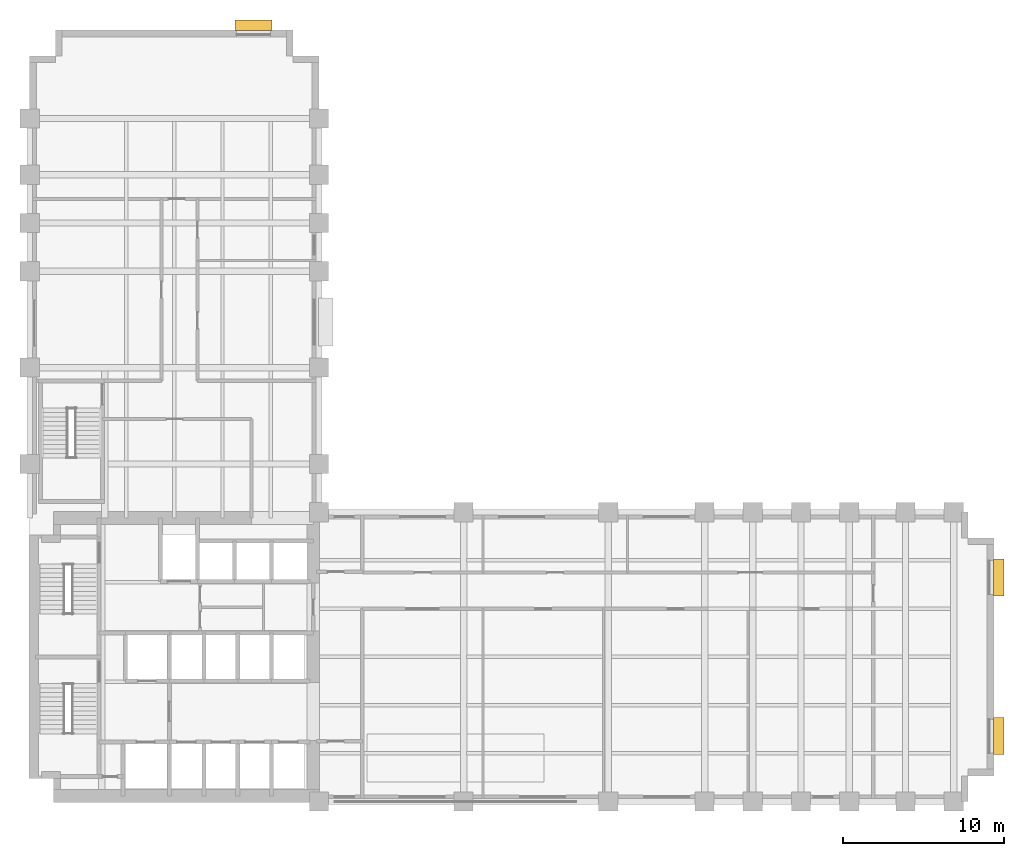
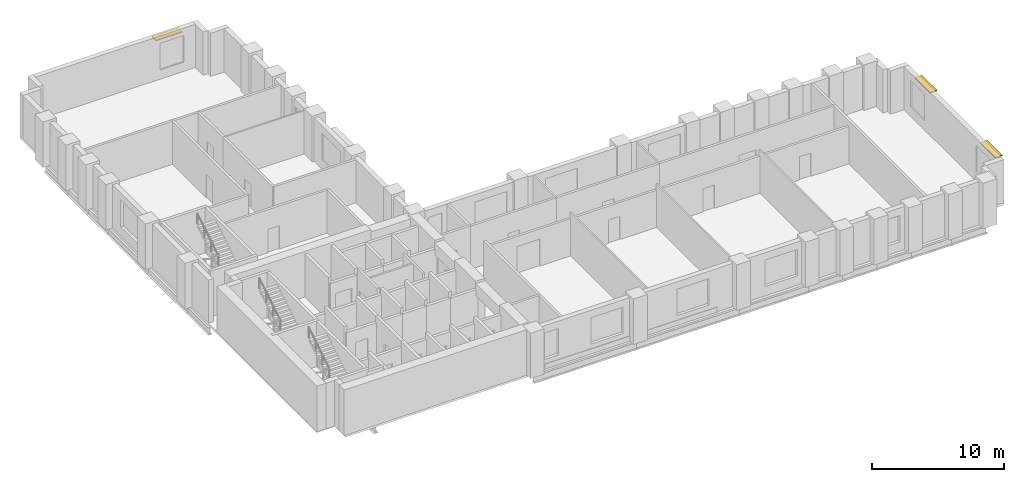
# One storey, part 8 of 8: 3 shading devices.
"""IFC4 building model written with IfcOpenShell, lengths in metres."""

import ifcopenshell
import ifcopenshell.guid

model = None  # the IFC model being written
_history = None  # IfcOwnerHistory: only IFC2X3 demands one
_inside = {}  # id of a spatial element -> (the spatial element, [elements in it])
_under = {}  # id of a project, library or spatial element -> (it, [spatial elements below it])
_declared = {}  # id of a project -> (the project, [libraries it declares])
_typed = {}  # id of a type object -> (the type object, [elements of that type])
_made_of = {}  # id of a material, layer set ... -> (it, [elements and type objects made of it])


def new_model(schema):
    """Start an empty IFC model of exactly this schema.

    Asked for "IFC4X3", IfcOpenShell would pick the latest addendum, in which some entities
    have other attributes; the version numbers below select the first issue.
    IFC2X3 requires an IfcOwnerHistory on every rooted entity: one is made here for all.
    """
    global model, _history
    if schema == "IFC4X3":
        model = ifcopenshell.file(schema_version=(4, 3, 0, 0))
    else:
        model = ifcopenshell.file(schema=schema)
    _inside.clear()
    _under.clear()
    _declared.clear()
    _typed.clear()
    _made_of.clear()
    _history = None
    if model.schema == "IFC2X3":
        org = make("IfcOrganization", Name="unknown")
        user = make(
            "IfcPersonAndOrganization",
            ThePerson=make("IfcPerson", FamilyName="unknown"),
            TheOrganization=org,
        )
        app = make(
            "IfcApplication",
            ApplicationDeveloper=org,
            Version="unknown",
            ApplicationFullName="unknown",
            ApplicationIdentifier="unknown",
        )
        _history = make(
            "IfcOwnerHistory",
            OwningUser=user,
            OwningApplication=app,
            ChangeAction="ADDED",
            CreationDate=0,
        )
    return model


def make(cls, **values):
    """One entity of the class cls with the attributes given. An attribute that is None is left unset."""
    return model.create_entity(
        cls, **{name: value for name, value in values.items() if value is not None}
    )


def rooted(cls, **values):
    """An entity with a GlobalId (a new one), such as an element, a storey or a relation."""
    return make(cls, GlobalId=ifcopenshell.guid.new(), OwnerHistory=_history, **values)


def si_unit(unit_type, name, prefix=None):
    """IfcSIUnit, for example si_unit("LENGTHUNIT", "METRE", prefix="MILLI")."""
    return make("IfcSIUnit", UnitType=unit_type, Prefix=prefix, Name=name)


def assignment(units):
    """IfcUnitAssignment: the units of a project."""
    return None if units is None else make("IfcUnitAssignment", Units=units)


def point(xyz):
    """IfcCartesianPoint."""
    return None if xyz is None else make("IfcCartesianPoint", Coordinates=xyz)


def direction(xyz):
    """IfcDirection."""
    return None if xyz is None else make("IfcDirection", DirectionRatios=xyz)


def frame(location, z_axis=None, x_axis=None):
    """IfcAxis2Placement3D, a coordinate frame: its origin and axes. An axis left out is left unset."""
    return make(
        "IfcAxis2Placement3D",
        Location=point(location),
        Axis=direction(z_axis),
        RefDirection=direction(x_axis),
    )


def frame_2d(location, x_axis=None):
    """IfcAxis2Placement2D, a coordinate frame in the plane: its origin and x axis."""
    return make(
        "IfcAxis2Placement2D", Location=point(location), RefDirection=direction(x_axis)
    )


def origin():
    """The frame at (0, 0, 0) with its axes left unset."""
    return frame((0.0, 0.0, 0.0))


def origin_2d():
    """The frame at (0, 0) in the plane with its x axis left unset."""
    return frame_2d((0.0, 0.0))


def place(relative_to, where):
    """IfcLocalPlacement: puts the frame where relative to a parent placement (None: the world)."""
    return make(
        "IfcLocalPlacement", PlacementRelTo=relative_to, RelativePlacement=where
    )


def context(
    kind, dimensions, precision=None, world=None, true_north=None, identifier=None
):
    """IfcGeometricRepresentationContext, for example the 3D "Model" context."""
    return make(
        "IfcGeometricRepresentationContext",
        ContextIdentifier=identifier,
        ContextType=kind,
        CoordinateSpaceDimension=dimensions,
        Precision=precision,
        WorldCoordinateSystem=world,
        TrueNorth=true_north,
    )


def subcontext(parent, identifier, kind, view, scale=None):
    """IfcGeometricRepresentationSubContext, for example "Body" below "Model"."""
    return make(
        "IfcGeometricRepresentationSubContext",
        ContextIdentifier=identifier,
        ContextType=kind,
        ParentContext=parent,
        TargetScale=scale,
        TargetView=view,
    )


def project(units=None, contexts=None):
    """IfcProject with its units and contexts."""
    return rooted(
        "IfcProject",
        Name="project",
        RepresentationContexts=contexts,
        UnitsInContext=assignment(units),
    )


def spatial(cls, under=None, at=None, **own):
    """A site, building, storey or space (cls), placed at a placement, below another one or the project."""
    s = rooted(cls, ObjectPlacement=at, **own)
    if under is not None:
        _under.setdefault(under.id(), (under, []))[1].append(s)
    return s


def profile(cls, at=None, kind="AREA", **sizes):
    """A parametric profile (cls). Its sizes go by their IFC names, for example OverallWidth=200.0."""
    return make(cls, ProfileType=kind, Position=at, **sizes)


def rectangle(**sizes):
    """IfcRectangleProfileDef."""
    return profile("IfcRectangleProfileDef", **sizes)


def extrude(swept, where, along, depth):
    """IfcExtrudedAreaSolid: the profile swept, set in the frame where, extruded along a direction by depth."""
    return make(
        "IfcExtrudedAreaSolid",
        SweptArea=swept,
        Position=where,
        ExtrudedDirection=direction(along),
        Depth=depth,
    )


def shape(context_of_items, identifier, shape_type, items):
    """IfcShapeRepresentation: the items that make up one representation, for example the "Body"."""
    return make(
        "IfcShapeRepresentation",
        ContextOfItems=context_of_items,
        RepresentationIdentifier=identifier,
        RepresentationType=shape_type,
        Items=items,
    )


def material(Name=None, Category=None):
    """IfcMaterial."""
    return make("IfcMaterial", Name=Name, Category=Category)


def layer(
    of_material, thickness, ventilated=None, Name=None, Category=None, Priority=None
):
    """IfcMaterialLayer: one layer of a wall or slab, of a material (None: an air gap)."""
    return make(
        "IfcMaterialLayer",
        Material=of_material,
        LayerThickness=thickness,
        IsVentilated=ventilated,
        Name=Name,
        Category=Category,
        Priority=Priority,
    )


def layer_set(layers, Name=None):
    """IfcMaterialLayerSet."""
    return make("IfcMaterialLayerSet", MaterialLayers=layers, LayerSetName=Name)


def made_of(thing, what):
    """Note that an element or type object is made of a material, layer set ...; save() writes the relation."""
    if what is not None:
        _made_of.setdefault(what.id(), (what, []))[1].append(thing)
    return thing


def type_object(cls, material=None, **own):
    """A type object (cls), such as IfcWallType, which elements share."""
    return made_of(rooted(cls, **own), material)


def element(
    cls,
    number,
    at=None,
    inside=None,
    cuts=None,
    type_object=None,
    material=None,
    context=None,
    identifier="Body",
    shape_type=None,
    held_by="IfcProductDefinitionShape",
    body=None,
    shapes=None,
    **own,
):
    """One element of the class cls, such as IfcWall. Its Tag is "e" and its number.

    at: its placement. inside: the storey or other place that contains it. cuts: it is an
    opening in that element (IfcRelVoidsElement). A single representation is given by context,
    identifier, shape_type and body (its items); several are given by shapes. held_by: the class
    of the entity that holds the representations. save() writes the other relations.
    """
    e = rooted(cls, Tag="e%d" % number, ObjectPlacement=at, **own)
    if body is not None:
        shapes = [shape(context, identifier, shape_type, body)]
    if shapes is not None:
        e.Representation = make(held_by, Representations=shapes)
    if inside is not None:
        _inside.setdefault(inside.id(), (inside, []))[1].append(e)
    if cuts is not None:
        rooted(
            "IfcRelVoidsElement", RelatingBuildingElement=cuts, RelatedOpeningElement=e
        )
    if type_object is not None:
        _typed.setdefault(type_object.id(), (type_object, []))[1].append(e)
    return made_of(e, material)


def aggregate(whole, parts):
    """IfcRelAggregates: a whole, such as a stair, and the parts it consists of."""
    return rooted("IfcRelAggregates", RelatingObject=whole, RelatedObjects=parts)


def save(model, path):
    """Write the relations noted so far, then the file.

    IfcRelAggregates (storeys below a building ...), IfcRelContainedInSpatialStructure (elements
    in a storey), IfcRelDefinesByType, IfcRelAssociatesMaterial and IfcRelDeclares: one each for
    every whole, place, type object, material and project.
    """
    for whole, parts in _under.values():
        aggregate(whole, parts)
    for where, things in _inside.values():
        rooted(
            "IfcRelContainedInSpatialStructure",
            RelatedElements=things,
            RelatingStructure=where,
        )
    for kind, things in _typed.values():
        rooted("IfcRelDefinesByType", RelatedObjects=things, RelatingType=kind)
    for what, things in _made_of.values():
        rooted("IfcRelAssociatesMaterial", RelatedObjects=things, RelatingMaterial=what)
    for by, libraries in _declared.values():
        rooted("IfcRelDeclares", RelatingContext=by, RelatedDefinitions=libraries)
    model.write(path)


model = new_model("IFC4")

# Units and contexts
model_context = context("Model", 3, precision=1e-05, world=origin(), true_north=direction((0.0, 1.0)))
body_context = subcontext(model_context, "Body", "Model", "MODEL_VIEW")
ifc_project = project(units=[si_unit("LENGTHUNIT", "METRE"), si_unit("AREAUNIT", "SQUARE_METRE"), si_unit("VOLUMEUNIT", "CUBIC_METRE"), si_unit("PLANEANGLEUNIT", "RADIAN"), si_unit("MASSUNIT", "GRAM", prefix="KILO")], contexts=[model_context])

# Site, building, storey
site_placement = place(None, origin())
site = spatial("IfcSite", under=ifc_project, at=site_placement, CompositionType="ELEMENT")
building_placement = place(site_placement, origin())
building = spatial("IfcBuilding", under=site, at=building_placement, Name="Mawjdan Bourse Tower", CompositionType="ELEMENT")
storey_placement = place(building_placement, frame((0.0, 0.0, 63.60009765625)))
storey = spatial("IfcBuildingStorey", under=building, at=storey_placement, Name="L14", CompositionType="ELEMENT", Elevation=63.60009765625)

# Shading devices
ifc_material = material(Name="Bronze Anodised Aluminium", Category="aluminium")
ifc_layer = layer(ifc_material, 0.074951171875)
ifc_layer_set = layer_set([ifc_layer], Name="Bronze Anodised Aluminium")
shading_device_type = type_object("IfcShadingDeviceType", Name="SHD-SUN-650", PredefinedType="USERDEFINED", material=ifc_layer_set)
for number, where, z_axis, x_axis, name in (
    (1, (66.304931640625, 7.066650390625, 3.2998046875), (0.0, 0.0, 1.0), (0.0, 1.0, 0.0), "L14 Solar Window Hood 01"),
    (2, (66.304931640625, 16.933349609375, 3.2998046875), (0.0, 0.0, 1.0), (0.0, 1.0, 0.0), "L14 Solar Window Hood 02"),
    (3, (19.933349609375, 51.304931640625, 3.2998046875), (0.0, 0.0, 1.0), (-1.0, 0.0, 0.0), "L14 Solar Window Hood 05"),
):
    element("IfcShadingDevice", number, at=place(storey_placement, frame(where, z_axis=z_axis, x_axis=x_axis)), inside=storey, type_object=shading_device_type, Name=name, ObjectType="SUNSHADE", PredefinedType="USERDEFINED", context=body_context, shape_type="SweptSolid", body=[
        extrude(rectangle(XDim=2.300048828125, YDim=0.64990234375, at=origin_2d()), origin(), (0.0, 0.0, 1.0), 0.074951171875),
    ])

save(model, "model.ifc")
